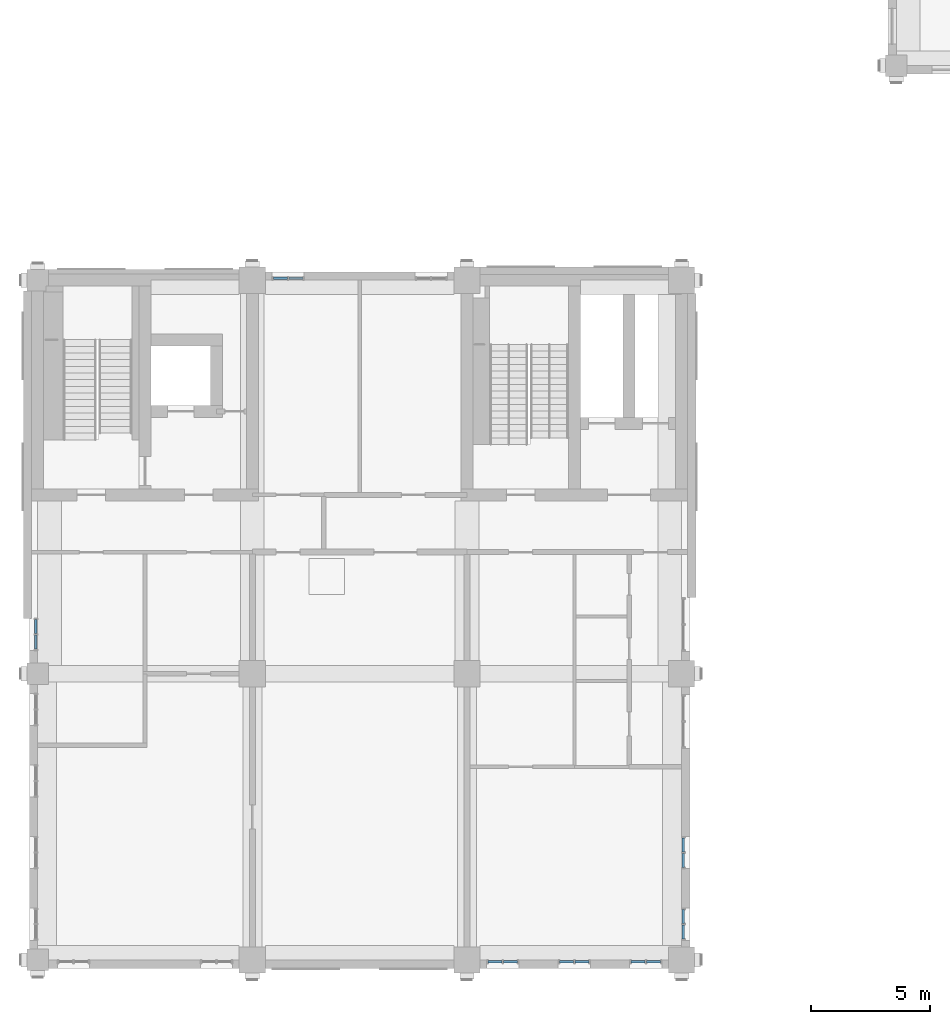
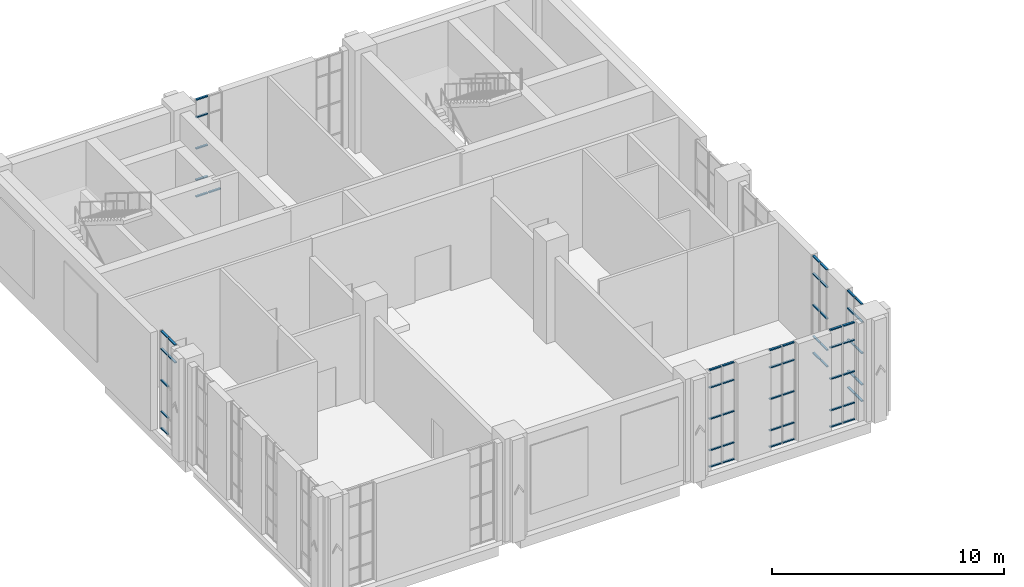
# One storey, part 14 of 39: 63 members, 7 elements without a shape of their own.
"""IFC4 building model written with IfcOpenShell, lengths in metres."""

from ifc_helpers import new_model, si_unit, direction, frame, origin, origin_2d, place, context, subcontext, project, spatial, rectangle, extrude, material, layer, layer_set, material_profile, profile_set, type_object, element, aggregate, save


model = new_model("IFC4")

# Units and contexts
model_context = context("Model", 3, precision=1e-05, world=origin(), true_north=direction((0.0, 1.0)))
body_context = subcontext(model_context, "Body", "Model", "MODEL_VIEW")
ifc_project = project(units=[si_unit("LENGTHUNIT", "METRE"), si_unit("AREAUNIT", "SQUARE_METRE"), si_unit("VOLUMEUNIT", "CUBIC_METRE"), si_unit("PLANEANGLEUNIT", "RADIAN"), si_unit("MASSUNIT", "GRAM", prefix="KILO")], contexts=[model_context])

# Site, building, storey
site_placement = place(None, origin())
site = spatial("IfcSite", under=ifc_project, at=site_placement, CompositionType="ELEMENT")
building_placement = place(site_placement, origin())
building = spatial("IfcBuilding", under=site, at=building_placement, Name="Aurelan Courthouse", CompositionType="ELEMENT")
storey_placement = place(building_placement, frame((0.0, 0.0, 28.199951171875)))
storey = spatial("IfcBuildingStorey", under=building, at=storey_placement, Name="L05", CompositionType="ELEMENT", Elevation=28.199951171875)

# Curtain wall, members
ifc_material_1 = material(Name="Bronze-finished aluminium and glass", Category="aluminium")
ifc_layer = layer(ifc_material_1, 0.14990234375)
ifc_layer_set = layer_set([ifc_layer], Name="Bronze-finished aluminium and glass")
curtain_wall_type = type_object("IfcCurtainWallType", Name="Curtain wall 1350 x 5150", PredefinedType="NOTDEFINED", material=ifc_layer_set)
curtain_wall_1_placement = place(storey_placement, origin())
curtain_wall_1 = element("IfcCurtainWall", 1, at=curtain_wall_1_placement, inside=storey, type_object=curtain_wall_type, Name="Curtain wall CW-V5-L05-S03", PredefinedType="NOTDEFINED")
ifc_material_2 = material(Name="Bronze-finished aluminium", Category="aluminium")
ifc_material_profile = material_profile(ifc_material_2, rectangle(XDim=0.10009765625, YDim=0.06005859375, at=origin_2d()), Name="Bronze transom 60 x 100")
ifc_profile_set = profile_set([ifc_material_profile], Name="Bronze-finished aluminium")
member_type = type_object("IfcMemberType", Name="Curtain wall transom 60 x 100", PredefinedType="USERDEFINED", material=ifc_profile_set)
member_1_placement = place(storey_placement, frame((18.885009765625, -0.074951171875, 0.030029296875), z_axis=(1.0, 0.0, 0.0), x_axis=(0.0, 1.0, 0.0)))
member_1 = element("IfcMember", 2, at=member_1_placement, type_object=member_type, Name="CW-V5-L05-S03 transom 1.1", ObjectType="TRANSOM", PredefinedType="USERDEFINED", context=body_context, shape_type="SweptSolid", body=[
    extrude(rectangle(XDim=0.10009765625, YDim=0.06005859375, at=origin_2d()), origin(), (0.0, 0.0, 1.0), 0.5849609375),
])
member_2_placement = place(storey_placement, frame((18.885009765625, -0.074951171875, 0.900146484375), z_axis=(1.0, 0.0, 0.0), x_axis=(0.0, 1.0, 0.0)))
member_2 = element("IfcMember", 3, at=member_2_placement, type_object=member_type, Name="CW-V5-L05-S03 transom 1.2", ObjectType="TRANSOM", PredefinedType="USERDEFINED", context=body_context, shape_type="SweptSolid", body=[
    extrude(rectangle(XDim=0.10009765625, YDim=0.06005859375, at=origin_2d()), origin(), (0.0, 0.0, 1.0), 0.5849609375),
])
member_3_placement = place(storey_placement, frame((18.885009765625, -0.074951171875, 2.550048828125), z_axis=(1.0, 0.0, 0.0), x_axis=(0.0, 1.0, 0.0)))
member_3 = element("IfcMember", 4, at=member_3_placement, type_object=member_type, Name="CW-V5-L05-S03 transom 1.3", ObjectType="TRANSOM", PredefinedType="USERDEFINED", context=body_context, shape_type="SweptSolid", body=[
    extrude(rectangle(XDim=0.10009765625, YDim=0.06005859375, at=origin_2d()), origin(), (0.0, 0.0, 1.0), 0.5849609375),
])
member_4_placement = place(storey_placement, frame((18.885009765625, -0.074951171875, 4.199951171875), z_axis=(1.0, 0.0, 0.0), x_axis=(0.0, 1.0, 0.0)))
member_4 = element("IfcMember", 5, at=member_4_placement, type_object=member_type, Name="CW-V5-L05-S03 transom 1.4", ObjectType="TRANSOM", PredefinedType="USERDEFINED", context=body_context, shape_type="SweptSolid", body=[
    extrude(rectangle(XDim=0.10009765625, YDim=0.06005859375, at=origin_2d()), origin(), (0.0, 0.0, 1.0), 0.5849609375),
])
member_5_placement = place(storey_placement, frame((18.885009765625, -0.074951171875, 5.1201171875), z_axis=(1.0, 0.0, 0.0), x_axis=(0.0, 1.0, 0.0)))
member_5 = element("IfcMember", 6, at=member_5_placement, type_object=member_type, Name="CW-V5-L05-S03 transom 1.5", ObjectType="TRANSOM", PredefinedType="USERDEFINED", context=body_context, shape_type="SweptSolid", body=[
    extrude(rectangle(XDim=0.10009765625, YDim=0.06005859375, at=origin_2d()), origin(), (0.0, 0.0, 1.0), 0.5849609375),
])
member_6_placement = place(storey_placement, frame((19.530029296875, -0.074951171875, 0.030029296875), z_axis=(1.0, 0.0, 0.0), x_axis=(0.0, 1.0, 0.0)))
member_6 = element("IfcMember", 7, at=member_6_placement, type_object=member_type, Name="CW-V5-L05-S03 transom 2.1", ObjectType="TRANSOM", PredefinedType="USERDEFINED", context=body_context, shape_type="SweptSolid", body=[
    extrude(rectangle(XDim=0.10009765625, YDim=0.06005859375, at=origin_2d()), origin(), (0.0, 0.0, 1.0), 0.5849609375),
])
member_7_placement = place(storey_placement, frame((19.530029296875, -0.074951171875, 0.900146484375), z_axis=(1.0, 0.0, 0.0), x_axis=(0.0, 1.0, 0.0)))
member_7 = element("IfcMember", 8, at=member_7_placement, type_object=member_type, Name="CW-V5-L05-S03 transom 2.2", ObjectType="TRANSOM", PredefinedType="USERDEFINED", context=body_context, shape_type="SweptSolid", body=[
    extrude(rectangle(XDim=0.10009765625, YDim=0.06005859375, at=origin_2d()), origin(), (0.0, 0.0, 1.0), 0.5849609375),
])
member_8_placement = place(storey_placement, frame((19.530029296875, -0.074951171875, 2.550048828125), z_axis=(1.0, 0.0, 0.0), x_axis=(0.0, 1.0, 0.0)))
member_8 = element("IfcMember", 9, at=member_8_placement, type_object=member_type, Name="CW-V5-L05-S03 transom 2.3", ObjectType="TRANSOM", PredefinedType="USERDEFINED", context=body_context, shape_type="SweptSolid", body=[
    extrude(rectangle(XDim=0.10009765625, YDim=0.06005859375, at=origin_2d()), origin(), (0.0, 0.0, 1.0), 0.5849609375),
])
member_9_placement = place(storey_placement, frame((19.530029296875, -0.074951171875, 4.199951171875), z_axis=(1.0, 0.0, 0.0), x_axis=(0.0, 1.0, 0.0)))
member_9 = element("IfcMember", 10, at=member_9_placement, type_object=member_type, Name="CW-V5-L05-S03 transom 2.4", ObjectType="TRANSOM", PredefinedType="USERDEFINED", context=body_context, shape_type="SweptSolid", body=[
    extrude(rectangle(XDim=0.10009765625, YDim=0.06005859375, at=origin_2d()), origin(), (0.0, 0.0, 1.0), 0.5849609375),
])
member_10_placement = place(storey_placement, frame((19.530029296875, -0.074951171875, 5.1201171875), z_axis=(1.0, 0.0, 0.0), x_axis=(0.0, 1.0, 0.0)))
member_10 = element("IfcMember", 11, at=member_10_placement, type_object=member_type, Name="CW-V5-L05-S03 transom 2.5", ObjectType="TRANSOM", PredefinedType="USERDEFINED", context=body_context, shape_type="SweptSolid", body=[
    extrude(rectangle(XDim=0.10009765625, YDim=0.06005859375, at=origin_2d()), origin(), (0.0, 0.0, 1.0), 0.5849609375),
])
aggregate(curtain_wall_1, [member_1, member_2, member_3, member_4, member_5, member_6, member_7, member_8, member_9, member_10])

curtain_wall_2_placement = place(storey_placement, origin())
curtain_wall_2 = element("IfcCurtainWall", 12, at=curtain_wall_2_placement, inside=storey, type_object=curtain_wall_type, Name="Curtain wall CW-V5-L05-S04", PredefinedType="NOTDEFINED")
member_11_placement = place(storey_placement, frame((21.885009765625, -0.074951171875, 0.030029296875), z_axis=(1.0, 0.0, 0.0), x_axis=(0.0, 1.0, 0.0)))
member_11 = element("IfcMember", 13, at=member_11_placement, type_object=member_type, Name="CW-V5-L05-S04 transom 1.1", ObjectType="TRANSOM", PredefinedType="USERDEFINED", context=body_context, shape_type="SweptSolid", body=[
    extrude(rectangle(XDim=0.10009765625, YDim=0.06005859375, at=origin_2d()), origin(), (0.0, 0.0, 1.0), 0.5849609375),
])
member_12_placement = place(storey_placement, frame((21.885009765625, -0.074951171875, 0.900146484375), z_axis=(1.0, 0.0, 0.0), x_axis=(0.0, 1.0, 0.0)))
member_12 = element("IfcMember", 14, at=member_12_placement, type_object=member_type, Name="CW-V5-L05-S04 transom 1.2", ObjectType="TRANSOM", PredefinedType="USERDEFINED", context=body_context, shape_type="SweptSolid", body=[
    extrude(rectangle(XDim=0.10009765625, YDim=0.06005859375, at=origin_2d()), origin(), (0.0, 0.0, 1.0), 0.5849609375),
])
member_13_placement = place(storey_placement, frame((21.885009765625, -0.074951171875, 2.550048828125), z_axis=(1.0, 0.0, 0.0), x_axis=(0.0, 1.0, 0.0)))
member_13 = element("IfcMember", 15, at=member_13_placement, type_object=member_type, Name="CW-V5-L05-S04 transom 1.3", ObjectType="TRANSOM", PredefinedType="USERDEFINED", context=body_context, shape_type="SweptSolid", body=[
    extrude(rectangle(XDim=0.10009765625, YDim=0.06005859375, at=origin_2d()), origin(), (0.0, 0.0, 1.0), 0.5849609375),
])
member_14_placement = place(storey_placement, frame((21.885009765625, -0.074951171875, 4.199951171875), z_axis=(1.0, 0.0, 0.0), x_axis=(0.0, 1.0, 0.0)))
member_14 = element("IfcMember", 16, at=member_14_placement, type_object=member_type, Name="CW-V5-L05-S04 transom 1.4", ObjectType="TRANSOM", PredefinedType="USERDEFINED", context=body_context, shape_type="SweptSolid", body=[
    extrude(rectangle(XDim=0.10009765625, YDim=0.06005859375, at=origin_2d()), origin(), (0.0, 0.0, 1.0), 0.5849609375),
])
member_15_placement = place(storey_placement, frame((21.885009765625, -0.074951171875, 5.1201171875), z_axis=(1.0, 0.0, 0.0), x_axis=(0.0, 1.0, 0.0)))
member_15 = element("IfcMember", 17, at=member_15_placement, type_object=member_type, Name="CW-V5-L05-S04 transom 1.5", ObjectType="TRANSOM", PredefinedType="USERDEFINED", context=body_context, shape_type="SweptSolid", body=[
    extrude(rectangle(XDim=0.10009765625, YDim=0.06005859375, at=origin_2d()), origin(), (0.0, 0.0, 1.0), 0.5849609375),
])
member_16_placement = place(storey_placement, frame((22.530029296875, -0.074951171875, 0.030029296875), z_axis=(1.0, 0.0, 0.0), x_axis=(0.0, 1.0, 0.0)))
member_16 = element("IfcMember", 18, at=member_16_placement, type_object=member_type, Name="CW-V5-L05-S04 transom 2.1", ObjectType="TRANSOM", PredefinedType="USERDEFINED", context=body_context, shape_type="SweptSolid", body=[
    extrude(rectangle(XDim=0.10009765625, YDim=0.06005859375, at=origin_2d()), origin(), (0.0, 0.0, 1.0), 0.5849609375),
])
member_17_placement = place(storey_placement, frame((22.530029296875, -0.074951171875, 0.900146484375), z_axis=(1.0, 0.0, 0.0), x_axis=(0.0, 1.0, 0.0)))
member_17 = element("IfcMember", 19, at=member_17_placement, type_object=member_type, Name="CW-V5-L05-S04 transom 2.2", ObjectType="TRANSOM", PredefinedType="USERDEFINED", context=body_context, shape_type="SweptSolid", body=[
    extrude(rectangle(XDim=0.10009765625, YDim=0.06005859375, at=origin_2d()), origin(), (0.0, 0.0, 1.0), 0.5849609375),
])
member_18_placement = place(storey_placement, frame((22.530029296875, -0.074951171875, 2.550048828125), z_axis=(1.0, 0.0, 0.0), x_axis=(0.0, 1.0, 0.0)))
member_18 = element("IfcMember", 20, at=member_18_placement, type_object=member_type, Name="CW-V5-L05-S04 transom 2.3", ObjectType="TRANSOM", PredefinedType="USERDEFINED", context=body_context, shape_type="SweptSolid", body=[
    extrude(rectangle(XDim=0.10009765625, YDim=0.06005859375, at=origin_2d()), origin(), (0.0, 0.0, 1.0), 0.5849609375),
])
member_19_placement = place(storey_placement, frame((22.530029296875, -0.074951171875, 4.199951171875), z_axis=(1.0, 0.0, 0.0), x_axis=(0.0, 1.0, 0.0)))
member_19 = element("IfcMember", 21, at=member_19_placement, type_object=member_type, Name="CW-V5-L05-S04 transom 2.4", ObjectType="TRANSOM", PredefinedType="USERDEFINED", context=body_context, shape_type="SweptSolid", body=[
    extrude(rectangle(XDim=0.10009765625, YDim=0.06005859375, at=origin_2d()), origin(), (0.0, 0.0, 1.0), 0.5849609375),
])
member_20_placement = place(storey_placement, frame((22.530029296875, -0.074951171875, 5.1201171875), z_axis=(1.0, 0.0, 0.0), x_axis=(0.0, 1.0, 0.0)))
member_20 = element("IfcMember", 22, at=member_20_placement, type_object=member_type, Name="CW-V5-L05-S04 transom 2.5", ObjectType="TRANSOM", PredefinedType="USERDEFINED", context=body_context, shape_type="SweptSolid", body=[
    extrude(rectangle(XDim=0.10009765625, YDim=0.06005859375, at=origin_2d()), origin(), (0.0, 0.0, 1.0), 0.5849609375),
])
aggregate(curtain_wall_2, [member_11, member_12, member_13, member_14, member_15, member_16, member_17, member_18, member_19, member_20])

curtain_wall_3_placement = place(storey_placement, origin())
curtain_wall_3 = element("IfcCurtainWall", 23, at=curtain_wall_3_placement, inside=storey, type_object=curtain_wall_type, Name="Curtain wall CW-V5-L05-S05", PredefinedType="NOTDEFINED")
member_21_placement = place(storey_placement, frame((24.885009765625, -0.074951171875, 0.030029296875), z_axis=(1.0, 0.0, 0.0), x_axis=(0.0, 1.0, 0.0)))
member_21 = element("IfcMember", 24, at=member_21_placement, type_object=member_type, Name="CW-V5-L05-S05 transom 1.1", ObjectType="TRANSOM", PredefinedType="USERDEFINED", context=body_context, shape_type="SweptSolid", body=[
    extrude(rectangle(XDim=0.10009765625, YDim=0.06005859375, at=origin_2d()), origin(), (0.0, 0.0, 1.0), 0.5849609375),
])
member_22_placement = place(storey_placement, frame((24.885009765625, -0.074951171875, 0.900146484375), z_axis=(1.0, 0.0, 0.0), x_axis=(0.0, 1.0, 0.0)))
member_22 = element("IfcMember", 25, at=member_22_placement, type_object=member_type, Name="CW-V5-L05-S05 transom 1.2", ObjectType="TRANSOM", PredefinedType="USERDEFINED", context=body_context, shape_type="SweptSolid", body=[
    extrude(rectangle(XDim=0.10009765625, YDim=0.06005859375, at=origin_2d()), origin(), (0.0, 0.0, 1.0), 0.5849609375),
])
member_23_placement = place(storey_placement, frame((24.885009765625, -0.074951171875, 2.550048828125), z_axis=(1.0, 0.0, 0.0), x_axis=(0.0, 1.0, 0.0)))
member_23 = element("IfcMember", 26, at=member_23_placement, type_object=member_type, Name="CW-V5-L05-S05 transom 1.3", ObjectType="TRANSOM", PredefinedType="USERDEFINED", context=body_context, shape_type="SweptSolid", body=[
    extrude(rectangle(XDim=0.10009765625, YDim=0.06005859375, at=origin_2d()), origin(), (0.0, 0.0, 1.0), 0.5849609375),
])
member_24_placement = place(storey_placement, frame((24.885009765625, -0.074951171875, 4.199951171875), z_axis=(1.0, 0.0, 0.0), x_axis=(0.0, 1.0, 0.0)))
member_24 = element("IfcMember", 27, at=member_24_placement, type_object=member_type, Name="CW-V5-L05-S05 transom 1.4", ObjectType="TRANSOM", PredefinedType="USERDEFINED", context=body_context, shape_type="SweptSolid", body=[
    extrude(rectangle(XDim=0.10009765625, YDim=0.06005859375, at=origin_2d()), origin(), (0.0, 0.0, 1.0), 0.5849609375),
])
member_25_placement = place(storey_placement, frame((24.885009765625, -0.074951171875, 5.1201171875), z_axis=(1.0, 0.0, 0.0), x_axis=(0.0, 1.0, 0.0)))
member_25 = element("IfcMember", 28, at=member_25_placement, type_object=member_type, Name="CW-V5-L05-S05 transom 1.5", ObjectType="TRANSOM", PredefinedType="USERDEFINED", context=body_context, shape_type="SweptSolid", body=[
    extrude(rectangle(XDim=0.10009765625, YDim=0.06005859375, at=origin_2d()), origin(), (0.0, 0.0, 1.0), 0.5849609375),
])
member_26_placement = place(storey_placement, frame((25.530029296875, -0.074951171875, 0.030029296875), z_axis=(1.0, 0.0, 0.0), x_axis=(0.0, 1.0, 0.0)))
member_26 = element("IfcMember", 29, at=member_26_placement, type_object=member_type, Name="CW-V5-L05-S05 transom 2.1", ObjectType="TRANSOM", PredefinedType="USERDEFINED", context=body_context, shape_type="SweptSolid", body=[
    extrude(rectangle(XDim=0.10009765625, YDim=0.06005859375, at=origin_2d()), origin(), (0.0, 0.0, 1.0), 0.5849609375),
])
member_27_placement = place(storey_placement, frame((25.530029296875, -0.074951171875, 0.900146484375), z_axis=(1.0, 0.0, 0.0), x_axis=(0.0, 1.0, 0.0)))
member_27 = element("IfcMember", 30, at=member_27_placement, type_object=member_type, Name="CW-V5-L05-S05 transom 2.2", ObjectType="TRANSOM", PredefinedType="USERDEFINED", context=body_context, shape_type="SweptSolid", body=[
    extrude(rectangle(XDim=0.10009765625, YDim=0.06005859375, at=origin_2d()), origin(), (0.0, 0.0, 1.0), 0.5849609375),
])
member_28_placement = place(storey_placement, frame((25.530029296875, -0.074951171875, 2.550048828125), z_axis=(1.0, 0.0, 0.0), x_axis=(0.0, 1.0, 0.0)))
member_28 = element("IfcMember", 31, at=member_28_placement, type_object=member_type, Name="CW-V5-L05-S05 transom 2.3", ObjectType="TRANSOM", PredefinedType="USERDEFINED", context=body_context, shape_type="SweptSolid", body=[
    extrude(rectangle(XDim=0.10009765625, YDim=0.06005859375, at=origin_2d()), origin(), (0.0, 0.0, 1.0), 0.5849609375),
])
member_29_placement = place(storey_placement, frame((25.530029296875, -0.074951171875, 4.199951171875), z_axis=(1.0, 0.0, 0.0), x_axis=(0.0, 1.0, 0.0)))
member_29 = element("IfcMember", 32, at=member_29_placement, type_object=member_type, Name="CW-V5-L05-S05 transom 2.4", ObjectType="TRANSOM", PredefinedType="USERDEFINED", context=body_context, shape_type="SweptSolid", body=[
    extrude(rectangle(XDim=0.10009765625, YDim=0.06005859375, at=origin_2d()), origin(), (0.0, 0.0, 1.0), 0.5849609375),
])
member_30_placement = place(storey_placement, frame((25.530029296875, -0.074951171875, 5.1201171875), z_axis=(1.0, 0.0, 0.0), x_axis=(0.0, 1.0, 0.0)))
member_30 = element("IfcMember", 33, at=member_30_placement, type_object=member_type, Name="CW-V5-L05-S05 transom 2.5", ObjectType="TRANSOM", PredefinedType="USERDEFINED", context=body_context, shape_type="SweptSolid", body=[
    extrude(rectangle(XDim=0.10009765625, YDim=0.06005859375, at=origin_2d()), origin(), (0.0, 0.0, 1.0), 0.5849609375),
])
aggregate(curtain_wall_3, [member_21, member_22, member_23, member_24, member_25, member_26, member_27, member_28, member_29, member_30])

curtain_wall_4_placement = place(storey_placement, origin())
curtain_wall_4 = element("IfcCurtainWall", 34, at=curtain_wall_4_placement, inside=storey, type_object=curtain_wall_type, Name="Curtain wall CW-V5-L05-N01", PredefinedType="NOTDEFINED")
member_31_placement = place(storey_placement, frame((9.885009765625, 28.574951171875, 0.030029296875), z_axis=(1.0, 0.0, 0.0), x_axis=(0.0, 1.0, 0.0)))
member_31 = element("IfcMember", 35, at=member_31_placement, type_object=member_type, Name="CW-V5-L05-N01 transom 1.1", ObjectType="TRANSOM", PredefinedType="USERDEFINED", context=body_context, shape_type="SweptSolid", body=[
    extrude(rectangle(XDim=0.10009765625, YDim=0.06005859375, at=origin_2d()), origin(), (0.0, 0.0, 1.0), 0.5849609375),
])
member_32_placement = place(storey_placement, frame((9.885009765625, 28.574951171875, 0.900146484375), z_axis=(1.0, 0.0, 0.0), x_axis=(0.0, 1.0, 0.0)))
member_32 = element("IfcMember", 36, at=member_32_placement, type_object=member_type, Name="CW-V5-L05-N01 transom 1.2", ObjectType="TRANSOM", PredefinedType="USERDEFINED", context=body_context, shape_type="SweptSolid", body=[
    extrude(rectangle(XDim=0.10009765625, YDim=0.06005859375, at=origin_2d()), origin(), (0.0, 0.0, 1.0), 0.5849609375),
])
member_33_placement = place(storey_placement, frame((9.885009765625, 28.574951171875, 2.550048828125), z_axis=(1.0, 0.0, 0.0), x_axis=(0.0, 1.0, 0.0)))
member_33 = element("IfcMember", 37, at=member_33_placement, type_object=member_type, Name="CW-V5-L05-N01 transom 1.3", ObjectType="TRANSOM", PredefinedType="USERDEFINED", context=body_context, shape_type="SweptSolid", body=[
    extrude(rectangle(XDim=0.10009765625, YDim=0.06005859375, at=origin_2d()), origin(), (0.0, 0.0, 1.0), 0.5849609375),
])
member_34_placement = place(storey_placement, frame((9.885009765625, 28.574951171875, 4.199951171875), z_axis=(1.0, 0.0, 0.0), x_axis=(0.0, 1.0, 0.0)))
member_34 = element("IfcMember", 38, at=member_34_placement, type_object=member_type, Name="CW-V5-L05-N01 transom 1.4", ObjectType="TRANSOM", PredefinedType="USERDEFINED", context=body_context, shape_type="SweptSolid", body=[
    extrude(rectangle(XDim=0.10009765625, YDim=0.06005859375, at=origin_2d()), origin(), (0.0, 0.0, 1.0), 0.5849609375),
])
member_35_placement = place(storey_placement, frame((9.885009765625, 28.574951171875, 5.1201171875), z_axis=(1.0, 0.0, 0.0), x_axis=(0.0, 1.0, 0.0)))
member_35 = element("IfcMember", 39, at=member_35_placement, type_object=member_type, Name="CW-V5-L05-N01 transom 1.5", ObjectType="TRANSOM", PredefinedType="USERDEFINED", context=body_context, shape_type="SweptSolid", body=[
    extrude(rectangle(XDim=0.10009765625, YDim=0.06005859375, at=origin_2d()), origin(), (0.0, 0.0, 1.0), 0.5849609375),
])
member_36_placement = place(storey_placement, frame((10.530029296875, 28.574951171875, 0.030029296875), z_axis=(1.0, 0.0, 0.0), x_axis=(0.0, 1.0, 0.0)))
member_36 = element("IfcMember", 40, at=member_36_placement, type_object=member_type, Name="CW-V5-L05-N01 transom 2.1", ObjectType="TRANSOM", PredefinedType="USERDEFINED", context=body_context, shape_type="SweptSolid", body=[
    extrude(rectangle(XDim=0.10009765625, YDim=0.06005859375, at=origin_2d()), origin(), (0.0, 0.0, 1.0), 0.5849609375),
])
aggregate(curtain_wall_4, [member_31, member_32, member_33, member_34, member_35, member_36])

curtain_wall_5_placement = place(storey_placement, origin())
curtain_wall_5 = element("IfcCurtainWall", 41, at=curtain_wall_5_placement, inside=storey, type_object=curtain_wall_type, Name="Curtain wall CW-V5-L05-E01", PredefinedType="NOTDEFINED")
member_37_placement = place(storey_placement, frame((27.074951171875, 0.885009765625, 0.030029296875), z_axis=(0.0, 1.0, 0.0), x_axis=(-1.0, 0.0, 0.0)))
member_37 = element("IfcMember", 42, at=member_37_placement, type_object=member_type, Name="CW-V5-L05-E01 transom 1.1", ObjectType="TRANSOM", PredefinedType="USERDEFINED", context=body_context, shape_type="SweptSolid", body=[
    extrude(rectangle(XDim=0.10009765625, YDim=0.06005859375, at=origin_2d()), origin(), (0.0, 0.0, 1.0), 0.5849609375),
])
member_38_placement = place(storey_placement, frame((27.074951171875, 0.885009765625, 0.900146484375), z_axis=(0.0, 1.0, 0.0), x_axis=(-1.0, 0.0, 0.0)))
member_38 = element("IfcMember", 43, at=member_38_placement, type_object=member_type, Name="CW-V5-L05-E01 transom 1.2", ObjectType="TRANSOM", PredefinedType="USERDEFINED", context=body_context, shape_type="SweptSolid", body=[
    extrude(rectangle(XDim=0.10009765625, YDim=0.06005859375, at=origin_2d()), origin(), (0.0, 0.0, 1.0), 0.5849609375),
])
member_39_placement = place(storey_placement, frame((27.074951171875, 0.885009765625, 2.550048828125), z_axis=(0.0, 1.0, 0.0), x_axis=(-1.0, 0.0, 0.0)))
member_39 = element("IfcMember", 44, at=member_39_placement, type_object=member_type, Name="CW-V5-L05-E01 transom 1.3", ObjectType="TRANSOM", PredefinedType="USERDEFINED", context=body_context, shape_type="SweptSolid", body=[
    extrude(rectangle(XDim=0.10009765625, YDim=0.06005859375, at=origin_2d()), origin(), (0.0, 0.0, 1.0), 0.5849609375),
])
member_40_placement = place(storey_placement, frame((27.074951171875, 0.885009765625, 4.199951171875), z_axis=(0.0, 1.0, 0.0), x_axis=(-1.0, 0.0, 0.0)))
member_40 = element("IfcMember", 45, at=member_40_placement, type_object=member_type, Name="CW-V5-L05-E01 transom 1.4", ObjectType="TRANSOM", PredefinedType="USERDEFINED", context=body_context, shape_type="SweptSolid", body=[
    extrude(rectangle(XDim=0.10009765625, YDim=0.06005859375, at=origin_2d()), origin(), (0.0, 0.0, 1.0), 0.5849609375),
])
member_41_placement = place(storey_placement, frame((27.074951171875, 0.885009765625, 5.1201171875), z_axis=(0.0, 1.0, 0.0), x_axis=(-1.0, 0.0, 0.0)))
member_41 = element("IfcMember", 46, at=member_41_placement, type_object=member_type, Name="CW-V5-L05-E01 transom 1.5", ObjectType="TRANSOM", PredefinedType="USERDEFINED", context=body_context, shape_type="SweptSolid", body=[
    extrude(rectangle(XDim=0.10009765625, YDim=0.06005859375, at=origin_2d()), origin(), (0.0, 0.0, 1.0), 0.5849609375),
])
member_42_placement = place(storey_placement, frame((27.074951171875, 1.530029296875, 0.030029296875), z_axis=(0.0, 1.0, 0.0), x_axis=(-1.0, 0.0, 0.0)))
member_42 = element("IfcMember", 47, at=member_42_placement, type_object=member_type, Name="CW-V5-L05-E01 transom 2.1", ObjectType="TRANSOM", PredefinedType="USERDEFINED", context=body_context, shape_type="SweptSolid", body=[
    extrude(rectangle(XDim=0.10009765625, YDim=0.06005859375, at=origin_2d()), origin(), (0.0, 0.0, 1.0), 0.5849609375),
])
member_43_placement = place(storey_placement, frame((27.074951171875, 1.530029296875, 0.900146484375), z_axis=(0.0, 1.0, 0.0), x_axis=(-1.0, 0.0, 0.0)))
member_43 = element("IfcMember", 48, at=member_43_placement, type_object=member_type, Name="CW-V5-L05-E01 transom 2.2", ObjectType="TRANSOM", PredefinedType="USERDEFINED", context=body_context, shape_type="SweptSolid", body=[
    extrude(rectangle(XDim=0.10009765625, YDim=0.06005859375, at=origin_2d()), origin(), (0.0, 0.0, 1.0), 0.5849609375),
])
member_44_placement = place(storey_placement, frame((27.074951171875, 1.530029296875, 2.550048828125), z_axis=(0.0, 1.0, 0.0), x_axis=(-1.0, 0.0, 0.0)))
member_44 = element("IfcMember", 49, at=member_44_placement, type_object=member_type, Name="CW-V5-L05-E01 transom 2.3", ObjectType="TRANSOM", PredefinedType="USERDEFINED", context=body_context, shape_type="SweptSolid", body=[
    extrude(rectangle(XDim=0.10009765625, YDim=0.06005859375, at=origin_2d()), origin(), (0.0, 0.0, 1.0), 0.5849609375),
])
member_45_placement = place(storey_placement, frame((27.074951171875, 1.530029296875, 4.199951171875), z_axis=(0.0, 1.0, 0.0), x_axis=(-1.0, 0.0, 0.0)))
member_45 = element("IfcMember", 50, at=member_45_placement, type_object=member_type, Name="CW-V5-L05-E01 transom 2.4", ObjectType="TRANSOM", PredefinedType="USERDEFINED", context=body_context, shape_type="SweptSolid", body=[
    extrude(rectangle(XDim=0.10009765625, YDim=0.06005859375, at=origin_2d()), origin(), (0.0, 0.0, 1.0), 0.5849609375),
])
member_46_placement = place(storey_placement, frame((27.074951171875, 1.530029296875, 5.1201171875), z_axis=(0.0, 1.0, 0.0), x_axis=(-1.0, 0.0, 0.0)))
member_46 = element("IfcMember", 51, at=member_46_placement, type_object=member_type, Name="CW-V5-L05-E01 transom 2.5", ObjectType="TRANSOM", PredefinedType="USERDEFINED", context=body_context, shape_type="SweptSolid", body=[
    extrude(rectangle(XDim=0.10009765625, YDim=0.06005859375, at=origin_2d()), origin(), (0.0, 0.0, 1.0), 0.5849609375),
])
aggregate(curtain_wall_5, [member_37, member_38, member_39, member_40, member_41, member_42, member_43, member_44, member_45, member_46])

curtain_wall_6_placement = place(storey_placement, origin())
curtain_wall_6 = element("IfcCurtainWall", 52, at=curtain_wall_6_placement, inside=storey, type_object=curtain_wall_type, Name="Curtain wall CW-V5-L05-E02", PredefinedType="NOTDEFINED")
member_47_placement = place(storey_placement, frame((27.074951171875, 3.885009765625, 0.030029296875), z_axis=(0.0, 1.0, 0.0), x_axis=(-1.0, 0.0, 0.0)))
member_47 = element("IfcMember", 53, at=member_47_placement, type_object=member_type, Name="CW-V5-L05-E02 transom 1.1", ObjectType="TRANSOM", PredefinedType="USERDEFINED", context=body_context, shape_type="SweptSolid", body=[
    extrude(rectangle(XDim=0.10009765625, YDim=0.06005859375, at=origin_2d()), origin(), (0.0, 0.0, 1.0), 0.5849609375),
])
member_48_placement = place(storey_placement, frame((27.074951171875, 3.885009765625, 0.900146484375), z_axis=(0.0, 1.0, 0.0), x_axis=(-1.0, 0.0, 0.0)))
member_48 = element("IfcMember", 54, at=member_48_placement, type_object=member_type, Name="CW-V5-L05-E02 transom 1.2", ObjectType="TRANSOM", PredefinedType="USERDEFINED", context=body_context, shape_type="SweptSolid", body=[
    extrude(rectangle(XDim=0.10009765625, YDim=0.06005859375, at=origin_2d()), origin(), (0.0, 0.0, 1.0), 0.5849609375),
])
member_49_placement = place(storey_placement, frame((27.074951171875, 3.885009765625, 2.550048828125), z_axis=(0.0, 1.0, 0.0), x_axis=(-1.0, 0.0, 0.0)))
member_49 = element("IfcMember", 55, at=member_49_placement, type_object=member_type, Name="CW-V5-L05-E02 transom 1.3", ObjectType="TRANSOM", PredefinedType="USERDEFINED", context=body_context, shape_type="SweptSolid", body=[
    extrude(rectangle(XDim=0.10009765625, YDim=0.06005859375, at=origin_2d()), origin(), (0.0, 0.0, 1.0), 0.5849609375),
])
member_50_placement = place(storey_placement, frame((27.074951171875, 3.885009765625, 4.199951171875), z_axis=(0.0, 1.0, 0.0), x_axis=(-1.0, 0.0, 0.0)))
member_50 = element("IfcMember", 56, at=member_50_placement, type_object=member_type, Name="CW-V5-L05-E02 transom 1.4", ObjectType="TRANSOM", PredefinedType="USERDEFINED", context=body_context, shape_type="SweptSolid", body=[
    extrude(rectangle(XDim=0.10009765625, YDim=0.06005859375, at=origin_2d()), origin(), (0.0, 0.0, 1.0), 0.5849609375),
])
member_51_placement = place(storey_placement, frame((27.074951171875, 3.885009765625, 5.1201171875), z_axis=(0.0, 1.0, 0.0), x_axis=(-1.0, 0.0, 0.0)))
member_51 = element("IfcMember", 57, at=member_51_placement, type_object=member_type, Name="CW-V5-L05-E02 transom 1.5", ObjectType="TRANSOM", PredefinedType="USERDEFINED", context=body_context, shape_type="SweptSolid", body=[
    extrude(rectangle(XDim=0.10009765625, YDim=0.06005859375, at=origin_2d()), origin(), (0.0, 0.0, 1.0), 0.5849609375),
])
member_52_placement = place(storey_placement, frame((27.074951171875, 4.530029296875, 0.030029296875), z_axis=(0.0, 1.0, 0.0), x_axis=(-1.0, 0.0, 0.0)))
member_52 = element("IfcMember", 58, at=member_52_placement, type_object=member_type, Name="CW-V5-L05-E02 transom 2.1", ObjectType="TRANSOM", PredefinedType="USERDEFINED", context=body_context, shape_type="SweptSolid", body=[
    extrude(rectangle(XDim=0.10009765625, YDim=0.06005859375, at=origin_2d()), origin(), (0.0, 0.0, 1.0), 0.5849609375),
])
member_53_placement = place(storey_placement, frame((27.074951171875, 4.530029296875, 0.900146484375), z_axis=(0.0, 1.0, 0.0), x_axis=(-1.0, 0.0, 0.0)))
member_53 = element("IfcMember", 59, at=member_53_placement, type_object=member_type, Name="CW-V5-L05-E02 transom 2.2", ObjectType="TRANSOM", PredefinedType="USERDEFINED", context=body_context, shape_type="SweptSolid", body=[
    extrude(rectangle(XDim=0.10009765625, YDim=0.06005859375, at=origin_2d()), origin(), (0.0, 0.0, 1.0), 0.5849609375),
])
member_54_placement = place(storey_placement, frame((27.074951171875, 4.530029296875, 2.550048828125), z_axis=(0.0, 1.0, 0.0), x_axis=(-1.0, 0.0, 0.0)))
member_54 = element("IfcMember", 60, at=member_54_placement, type_object=member_type, Name="CW-V5-L05-E02 transom 2.3", ObjectType="TRANSOM", PredefinedType="USERDEFINED", context=body_context, shape_type="SweptSolid", body=[
    extrude(rectangle(XDim=0.10009765625, YDim=0.06005859375, at=origin_2d()), origin(), (0.0, 0.0, 1.0), 0.5849609375),
])
member_55_placement = place(storey_placement, frame((27.074951171875, 4.530029296875, 4.199951171875), z_axis=(0.0, 1.0, 0.0), x_axis=(-1.0, 0.0, 0.0)))
member_55 = element("IfcMember", 61, at=member_55_placement, type_object=member_type, Name="CW-V5-L05-E02 transom 2.4", ObjectType="TRANSOM", PredefinedType="USERDEFINED", context=body_context, shape_type="SweptSolid", body=[
    extrude(rectangle(XDim=0.10009765625, YDim=0.06005859375, at=origin_2d()), origin(), (0.0, 0.0, 1.0), 0.5849609375),
])
member_56_placement = place(storey_placement, frame((27.074951171875, 4.530029296875, 5.1201171875), z_axis=(0.0, 1.0, 0.0), x_axis=(-1.0, 0.0, 0.0)))
member_56 = element("IfcMember", 62, at=member_56_placement, type_object=member_type, Name="CW-V5-L05-E02 transom 2.5", ObjectType="TRANSOM", PredefinedType="USERDEFINED", context=body_context, shape_type="SweptSolid", body=[
    extrude(rectangle(XDim=0.10009765625, YDim=0.06005859375, at=origin_2d()), origin(), (0.0, 0.0, 1.0), 0.5849609375),
])
aggregate(curtain_wall_6, [member_47, member_48, member_49, member_50, member_51, member_52, member_53, member_54, member_55, member_56])

curtain_wall_7_placement = place(storey_placement, origin())
curtain_wall_7 = element("IfcCurtainWall", 63, at=curtain_wall_7_placement, inside=storey, type_object=curtain_wall_type, Name="Curtain wall CW-V5-L05-W05", PredefinedType="NOTDEFINED")
member_57_placement = place(storey_placement, frame((-0.074951171875, 13.034912109375, 4.199951171875), z_axis=(0.0, 1.0, 0.0), x_axis=(-1.0, 0.0, 0.0)))
member_57 = element("IfcMember", 64, at=member_57_placement, type_object=member_type, Name="CW-V5-L05-W05 transom 1.4", ObjectType="TRANSOM", PredefinedType="USERDEFINED", context=body_context, shape_type="SweptSolid", body=[
    extrude(rectangle(XDim=0.10009765625, YDim=0.06005859375, at=origin_2d()), origin(), (0.0, 0.0, 1.0), 0.585205078125),
])
member_58_placement = place(storey_placement, frame((-0.074951171875, 13.034912109375, 5.1201171875), z_axis=(0.0, 1.0, 0.0), x_axis=(-1.0, 0.0, 0.0)))
member_58 = element("IfcMember", 65, at=member_58_placement, type_object=member_type, Name="CW-V5-L05-W05 transom 1.5", ObjectType="TRANSOM", PredefinedType="USERDEFINED", context=body_context, shape_type="SweptSolid", body=[
    extrude(rectangle(XDim=0.10009765625, YDim=0.06005859375, at=origin_2d()), origin(), (0.0, 0.0, 1.0), 0.585205078125),
])
member_59_placement = place(storey_placement, frame((-0.074951171875, 13.679931640625, 0.030029296875), z_axis=(0.0, 1.0, 0.0), x_axis=(-1.0, 0.0, 0.0)))
member_59 = element("IfcMember", 66, at=member_59_placement, type_object=member_type, Name="CW-V5-L05-W05 transom 2.1", ObjectType="TRANSOM", PredefinedType="USERDEFINED", context=body_context, shape_type="SweptSolid", body=[
    extrude(rectangle(XDim=0.10009765625, YDim=0.06005859375, at=origin_2d()), origin(), (0.0, 0.0, 1.0), 0.5849609375),
])
member_60_placement = place(storey_placement, frame((-0.074951171875, 13.679931640625, 0.900146484375), z_axis=(0.0, 1.0, 0.0), x_axis=(-1.0, 0.0, 0.0)))
member_60 = element("IfcMember", 67, at=member_60_placement, type_object=member_type, Name="CW-V5-L05-W05 transom 2.2", ObjectType="TRANSOM", PredefinedType="USERDEFINED", context=body_context, shape_type="SweptSolid", body=[
    extrude(rectangle(XDim=0.10009765625, YDim=0.06005859375, at=origin_2d()), origin(), (0.0, 0.0, 1.0), 0.5849609375),
])
member_61_placement = place(storey_placement, frame((-0.074951171875, 13.679931640625, 2.550048828125), z_axis=(0.0, 1.0, 0.0), x_axis=(-1.0, 0.0, 0.0)))
member_61 = element("IfcMember", 68, at=member_61_placement, type_object=member_type, Name="CW-V5-L05-W05 transom 2.3", ObjectType="TRANSOM", PredefinedType="USERDEFINED", context=body_context, shape_type="SweptSolid", body=[
    extrude(rectangle(XDim=0.10009765625, YDim=0.06005859375, at=origin_2d()), origin(), (0.0, 0.0, 1.0), 0.5849609375),
])
member_62_placement = place(storey_placement, frame((-0.074951171875, 13.679931640625, 4.199951171875), z_axis=(0.0, 1.0, 0.0), x_axis=(-1.0, 0.0, 0.0)))
member_62 = element("IfcMember", 69, at=member_62_placement, type_object=member_type, Name="CW-V5-L05-W05 transom 2.4", ObjectType="TRANSOM", PredefinedType="USERDEFINED", context=body_context, shape_type="SweptSolid", body=[
    extrude(rectangle(XDim=0.10009765625, YDim=0.06005859375, at=origin_2d()), origin(), (0.0, 0.0, 1.0), 0.5849609375),
])
member_63_placement = place(storey_placement, frame((-0.074951171875, 13.679931640625, 5.1201171875), z_axis=(0.0, 1.0, 0.0), x_axis=(-1.0, 0.0, 0.0)))
member_63 = element("IfcMember", 70, at=member_63_placement, type_object=member_type, Name="CW-V5-L05-W05 transom 2.5", ObjectType="TRANSOM", PredefinedType="USERDEFINED", context=body_context, shape_type="SweptSolid", body=[
    extrude(rectangle(XDim=0.10009765625, YDim=0.06005859375, at=origin_2d()), origin(), (0.0, 0.0, 1.0), 0.5849609375),
])
aggregate(curtain_wall_7, [member_57, member_58, member_59, member_60, member_61, member_62, member_63])

save(model, "model.ifc")
